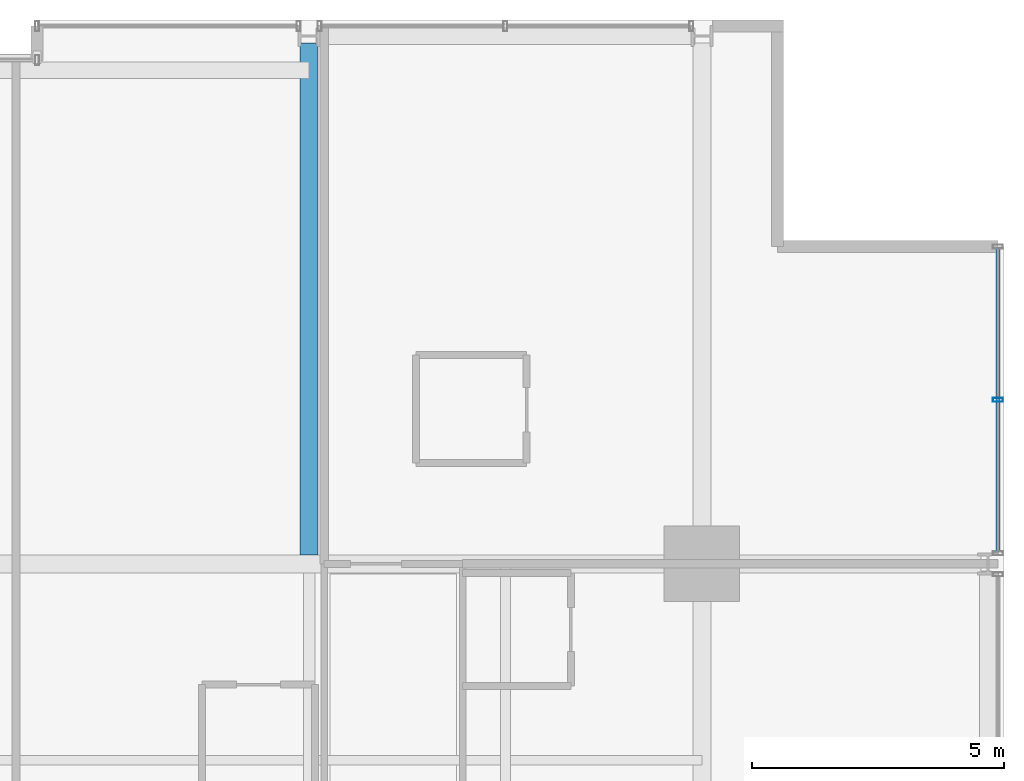
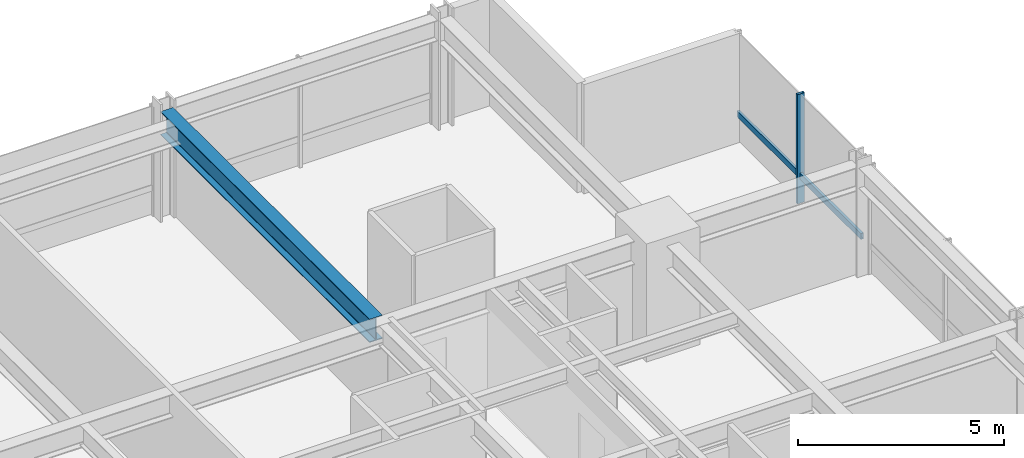
# One storey, part 24 of 35: 2 members, 1 beam, 1 element without a shape of its own.
"""IFC4 building model written with IfcOpenShell, lengths in metres."""

from ifc_helpers import new_model, si_unit, direction, frame, origin, origin_2d, place, context, subcontext, project, spatial, hollow_rectangle, i_section, extrude, material, layer, layer_set, material_profile, profile_set, type_object, element, aggregate, save


model = new_model("IFC4")

# Units and contexts
model_context = context("Model", 3, precision=1e-05, world=origin(), true_north=direction((0.0, 1.0)))
body_context = subcontext(model_context, "Body", "Model", "MODEL_VIEW")
ifc_project = project(units=[si_unit("LENGTHUNIT", "METRE"), si_unit("AREAUNIT", "SQUARE_METRE"), si_unit("VOLUMEUNIT", "CUBIC_METRE"), si_unit("PLANEANGLEUNIT", "RADIAN"), si_unit("MASSUNIT", "GRAM", prefix="KILO")], contexts=[model_context])

# Site, building, storey
site_placement = place(None, origin())
site = spatial("IfcSite", under=ifc_project, at=site_placement, CompositionType="ELEMENT")
building_placement = place(site_placement, origin())
building = spatial("IfcBuilding", under=site, at=building_placement, Name="Drelvath Grand Hotel", CompositionType="ELEMENT")
storey_placement = place(building_placement, frame((0.0, 0.0, 123.300048828125)))
storey = spatial("IfcBuildingStorey", under=building, at=storey_placement, Name="L31", CompositionType="ELEMENT", Elevation=123.300048828125)

# Curtain wall, members
ifc_material_1 = material(Name="Champagne Bronze Anodised Aluminium Frame", Category="aluminium")
ifc_layer = layer(ifc_material_1, 0.199951171875)
ifc_layer_set = layer_set([ifc_layer], Name="Champagne Bronze Anodised Aluminium Frame")
curtain_wall_type = type_object("IfcCurtainWallType", Name="Stick Curtain Wall CW-03 Champagne Bronze Mid-Rise", PredefinedType="NOTDEFINED", material=ifc_layer_set)
curtain_wall_placement = place(storey_placement, origin())
curtain_wall = element("IfcCurtainWall", 1, at=curtain_wall_placement, inside=storey, type_object=curtain_wall_type, Name="L31 CW-03 Curtain Wall CW03-L31-EN3", PredefinedType="NOTDEFINED")
ifc_material_profile_1 = material_profile(ifc_material_1, hollow_rectangle(XDim=0.074951171875, YDim=0.179931640625, WallThickness=0.0048828125, at=origin_2d()), Name="HSS180X75X5")
ifc_profile_set_1 = profile_set([ifc_material_profile_1], Name="Champagne Bronze Anodised Aluminium Frame")
member_type_1 = type_object("IfcMemberType", Name="Curtain Wall Horizontal Transom CW-03 HSS180X75X5", PredefinedType="USERDEFINED", material=ifc_profile_set_1)
member_1_placement = place(storey_placement, frame((22.080078125, 49.4599609375, 0.81005859375), z_axis=(0.0, -1.0, 0.0), x_axis=(1.0, 0.0, 0.0)))
member_1 = element("IfcMember", 2, at=member_1_placement, type_object=member_type_1, Name="CW03-L31-EN3 Sill Transom", ObjectType="TRANSOM", PredefinedType="USERDEFINED", context=body_context, shape_type="SweptSolid", body=[
    extrude(hollow_rectangle(XDim=0.074951171875, YDim=0.179931640625, WallThickness=0.0048828125, at=origin_2d()), origin(), (0.0, 0.0, 1.0), 6.010498046875),
])
ifc_material_profile_2 = material_profile(ifc_material_1, hollow_rectangle(XDim=0.080078125, YDim=0.199951171875, WallThickness=0.0048828125, at=origin_2d()), Name="HSS200X80X5")
ifc_profile_set_2 = profile_set([ifc_material_profile_2], Name="Champagne Bronze Anodised Aluminium Frame")
member_type_2 = type_object("IfcMemberType", Name="Curtain Wall Vertical Mullion CW-03 HSS200X80X5", PredefinedType="MULLION", material=ifc_profile_set_2)
member_2_placement = place(storey_placement, frame((22.080078125, 46.45458984375, 0.0), z_axis=(0.0, 0.0, 1.0), x_axis=(0.0, 1.0, 0.0)))
member_2 = element("IfcMember", 3, at=member_2_placement, type_object=member_type_2, Name="CW03-L31-EN3 Mullion 2", PredefinedType="MULLION", context=body_context, shape_type="SweptSolid", body=[
    extrude(hollow_rectangle(XDim=0.080078125, YDim=0.199951171875, WallThickness=0.0048828125, at=origin_2d()), origin(), (0.0, 0.0, 1.0), 3.239990234375),
])
aggregate(curtain_wall, [member_2, member_1])

# Beam
ifc_material_2 = material(Name="Steel ASTM A992 Gr 50", Category="steel")
ifc_material_profile_3 = material_profile(ifc_material_2, i_section(OverallWidth=0.354736328125, OverallDepth=0.695556640625, WebThickness=0.015380859375, FlangeThickness=0.025146484375, FilletRadius=0.02392578125, at=origin_2d()), Name="W27X146")
ifc_profile_set_3 = profile_set([ifc_material_profile_3], Name="Steel ASTM A992 Gr 50")
beam_type = type_object("IfcBeamType", Name="Primary Floor Girder W27X146", PredefinedType="BEAM", material=ifc_profile_set_3)
beam_placement = place(storey_placement, frame((8.39990234375, 43.37744140625, 2.892333984375), z_axis=(0.0, 1.0, 0.0), x_axis=(-1.0, 0.0, 0.0)))
element("IfcBeam", 4, at=beam_placement, inside=storey, type_object=beam_type, Name="L31 North Wing Girder 6", PredefinedType="BEAM", context=body_context, shape_type="SweptSolid", body=[
    extrude(i_section(OverallWidth=0.354736328125, OverallDepth=0.695556640625, WebThickness=0.015380859375, FlangeThickness=0.025146484375, FilletRadius=0.02392578125, at=origin_2d()), origin(), (0.0, 0.0, 1.0), 10.16259765625),
])

save(model, "model.ifc")
